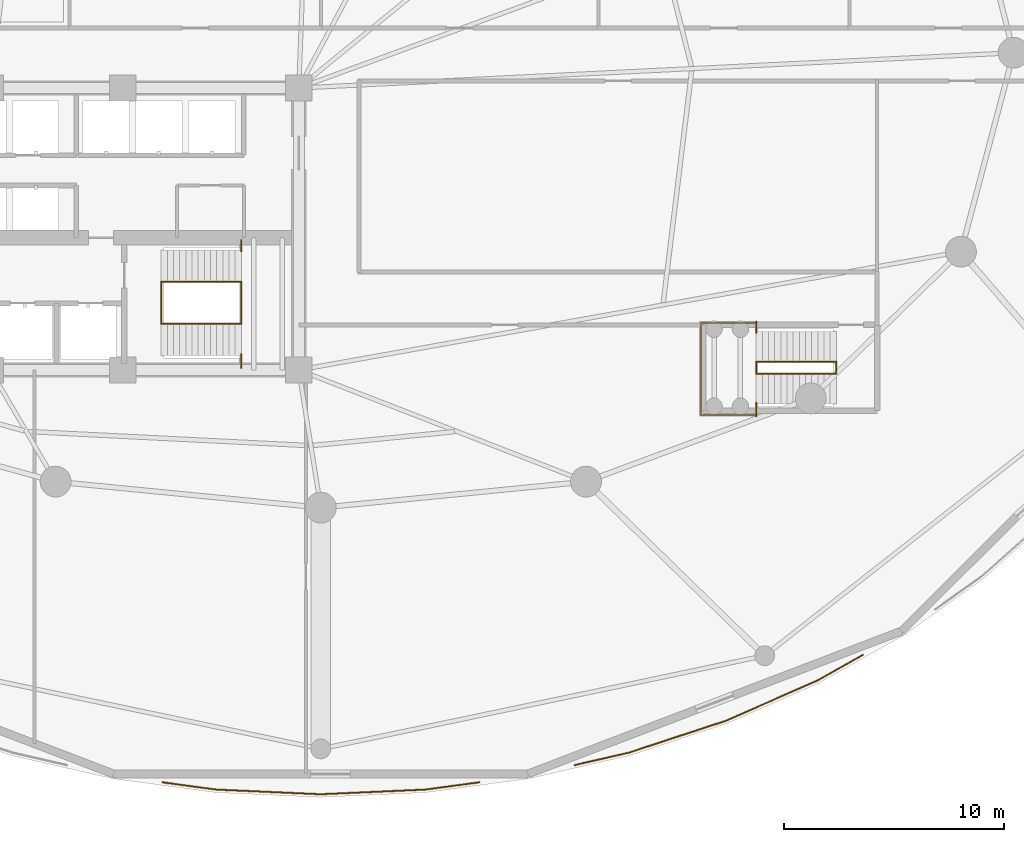
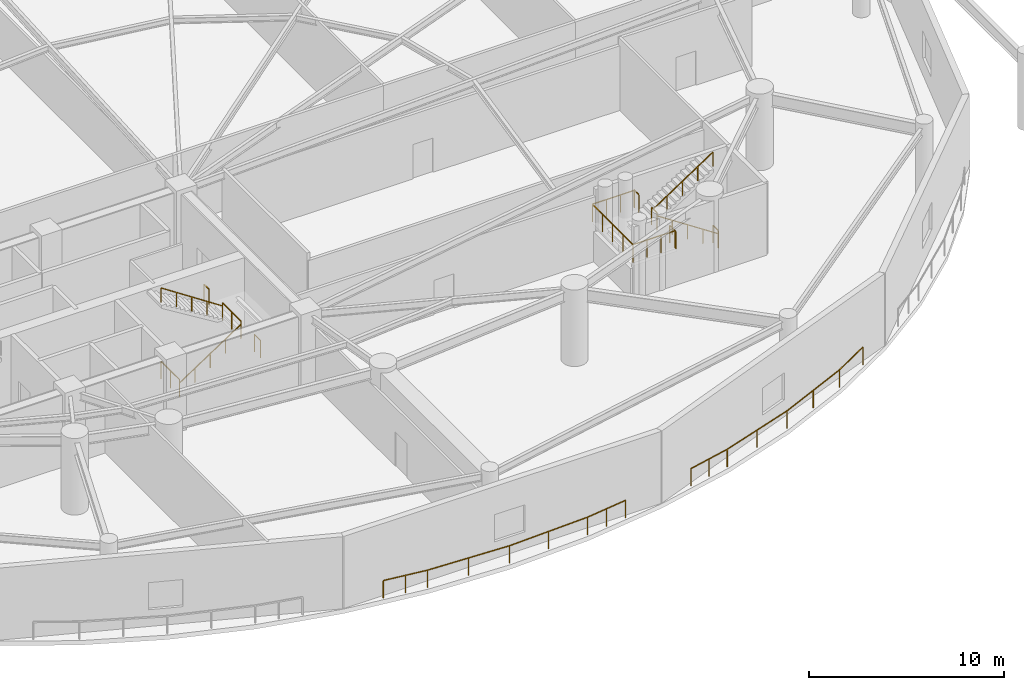
# One storey, part 35 of 36: 15 railings.
"""IFC4 building model written with IfcOpenShell, lengths in metres."""

from ifc_helpers import new_model, si_unit, direction, frame, origin, origin_2d, place, context, subcontext, project, spatial, rectangle, extrude, material, type_object, element, save


model = new_model("IFC4")

# Units and contexts
model_context = context("Model", 3, precision=1e-05, world=origin(), true_north=direction((0.0, 1.0)))
body_context = subcontext(model_context, "Body", "Model", "MODEL_VIEW")
ifc_project = project(units=[si_unit("LENGTHUNIT", "METRE"), si_unit("AREAUNIT", "SQUARE_METRE"), si_unit("VOLUMEUNIT", "CUBIC_METRE"), si_unit("PLANEANGLEUNIT", "RADIAN"), si_unit("MASSUNIT", "GRAM", prefix="KILO")], contexts=[model_context])

# Site, building, storey
site_placement = place(None, origin())
site = spatial("IfcSite", under=ifc_project, at=site_placement, CompositionType="ELEMENT")
building_placement = place(site_placement, origin())
building = spatial("IfcBuilding", under=site, at=building_placement, Name="Kazevale Care Tower and Concert Hall", CompositionType="ELEMENT")
storey_placement = place(building_placement, frame((0.0, 0.0, 14.39990234375)))
storey = spatial("IfcBuildingStorey", under=building, at=storey_placement, Name="L03", CompositionType="ELEMENT", Elevation=14.39990234375)

# Railings
ifc_material_1 = material(Name="Anodised Bronze Aluminium and Laminated Glass", Category="aluminium")
railing_type_1 = type_object("IfcRailingType", Name="Balcony and Terrace Balustrade 1120", PredefinedType="BALUSTRADE", material=ifc_material_1)
railing_1_placement = place(storey_placement, frame((52.18798828125, 4.882080078125, 0.0)))
element("IfcRailing", 1, at=railing_1_placement, inside=storey, type_object=railing_type_1, Name="rail:L03:perim:8", PredefinedType="BALUSTRADE", context=body_context, shape_type="SweptSolid", body=[
    extrude(rectangle(XDim=0.048095703125, YDim=0.048095703125, at=origin_2d()), frame((0.0, 0.0, 1.09619140625), z_axis=(-0.990987454457, -0.1339547129, 0.0), x_axis=(0.1339547129, -0.990987454457, 0.0)), (0.0, 0.0, 1.0), 2.464111328125),
    extrude(rectangle(XDim=0.048095703125, YDim=0.048095703125, at=origin_2d()), frame((-2.44189453125, -0.330078125, 1.09619140625), z_axis=(-0.999004667567, -0.044605763963, 0.0), x_axis=(0.044605763963, -0.999004667567, 0.0)), (0.0, 0.0, 1.0), 4.750732421875),
    extrude(rectangle(XDim=0.048095703125, YDim=0.048095703125, at=origin_2d()), frame((-7.18798828125, -0.5419921875, 1.09619140625), z_axis=(-0.999004667567, 0.044605763963, 0.0), x_axis=(-0.044605763963, -0.999004667567, 0.0)), (0.0, 0.0, 1.0), 4.750732421875),
    extrude(rectangle(XDim=0.048095703125, YDim=0.048095703125, at=origin_2d()), frame((-11.93408203125, -0.330078125, 1.09619140625), z_axis=(-0.990987454457, 0.1339547129, 0.0), x_axis=(-0.1339547129, -0.990987454457, 0.0)), (0.0, 0.0, 1.0), 2.464111328125),
    extrude(rectangle(XDim=0.0419921875, YDim=0.0419921875, at=origin_2d()), origin(), (0.0, 0.0, 1.0), 1.072021484375),
    extrude(rectangle(XDim=0.0419921875, YDim=0.0419921875, at=origin_2d()), frame((-1.220947265625, -0.1650390625, 0.0)), (0.0, 0.0, 1.0), 1.072021484375),
    extrude(rectangle(XDim=0.0419921875, YDim=0.0419921875, at=origin_2d()), frame((-2.44189453125, -0.330078125, 0.0)), (0.0, 0.0, 1.0), 1.072021484375),
    extrude(rectangle(XDim=0.0419921875, YDim=0.0419921875, at=origin_2d()), frame((-4.81494140625, -0.43603515625, 0.0)), (0.0, 0.0, 1.0), 1.072021484375),
    extrude(rectangle(XDim=0.0419921875, YDim=0.0419921875, at=origin_2d()), frame((-7.18798828125, -0.5419921875, 0.0)), (0.0, 0.0, 1.0), 1.072021484375),
    extrude(rectangle(XDim=0.0419921875, YDim=0.0419921875, at=origin_2d()), frame((-9.56103515625, -0.43603515625, 0.0)), (0.0, 0.0, 1.0), 1.072021484375),
    extrude(rectangle(XDim=0.0419921875, YDim=0.0419921875, at=origin_2d()), frame((-11.93408203125, -0.330078125, 0.0)), (0.0, 0.0, 1.0), 1.072021484375),
    extrude(rectangle(XDim=0.0419921875, YDim=0.0419921875, at=origin_2d()), frame((-13.155029296875, -0.1650390625, 0.0)), (0.0, 0.0, 1.0), 1.072021484375),
    extrude(rectangle(XDim=0.0419921875, YDim=0.0419921875, at=origin_2d()), frame((-14.3759765625, 0.0, 0.0)), (0.0, 0.0, 1.0), 1.072021484375),
])
railing_2_placement = place(storey_placement, frame((69.611083984375, 10.669921875, 0.0)))
element("IfcRailing", 2, at=railing_2_placement, inside=storey, type_object=railing_type_1, Name="rail:L03:perim:9", PredefinedType="BALUSTRADE", context=body_context, shape_type="SweptSolid", body=[
    extrude(rectangle(XDim=0.048095703125, YDim=0.048095703125, at=origin_2d()), frame((0.0, 0.0, 1.09619140625), z_axis=(-0.870864175029, -0.491523741696, 0.0), x_axis=(0.491523741696, -0.870864175029, 0.0)), (0.0, 0.0, 1.0), 2.36767578125),
    extrude(rectangle(XDim=0.048095703125, YDim=0.048095703125, at=origin_2d()), frame((-2.06201171875, -1.163818359375, 1.09619140625), z_axis=(-0.915470269762, -0.402385617514, 0.0), x_axis=(0.402385617514, -0.915470269762, 0.0)), (0.0, 0.0, 1.0), 4.543212890625),
    extrude(rectangle(XDim=0.048095703125, YDim=0.048095703125, at=origin_2d()), frame((-6.22119140625, -2.991943359375, 1.09619140625), z_axis=(-0.949817857606, -0.312803512405, 0.0), x_axis=(0.312803512405, -0.949817857606, 0.0)), (0.0, 0.0, 1.0), 4.622802734375),
    extrude(rectangle(XDim=0.048095703125, YDim=0.048095703125, at=origin_2d()), frame((-10.612060546875, -4.43798828125, 1.09619140625), z_axis=(-0.974740171393, -0.223341886518, 0.0), x_axis=(0.223341886518, -0.974740171393, 0.0)), (0.0, 0.0, 1.0), 2.538330078125),
    extrude(rectangle(XDim=0.0419921875, YDim=0.0419921875, at=origin_2d()), origin(), (0.0, 0.0, 1.0), 1.072021484375),
    extrude(rectangle(XDim=0.0419921875, YDim=0.0419921875, at=origin_2d()), frame((-2.06201171875, -1.163818359375, 0.0)), (0.0, 0.0, 1.0), 1.072021484375),
    extrude(rectangle(XDim=0.0419921875, YDim=0.0419921875, at=origin_2d()), frame((-4.1416015625, -2.077880859375, 0.0)), (0.0, 0.0, 1.0), 1.072021484375),
    extrude(rectangle(XDim=0.0419921875, YDim=0.0419921875, at=origin_2d()), frame((-6.22119140625, -2.991943359375, 0.0)), (0.0, 0.0, 1.0), 1.072021484375),
    extrude(rectangle(XDim=0.0419921875, YDim=0.0419921875, at=origin_2d()), frame((-8.41650390625, -3.71484375, 0.0)), (0.0, 0.0, 1.0), 1.072021484375),
    extrude(rectangle(XDim=0.0419921875, YDim=0.0419921875, at=origin_2d()), frame((-10.612060546875, -4.43798828125, 0.0)), (0.0, 0.0, 1.0), 1.072021484375),
    extrude(rectangle(XDim=0.0419921875, YDim=0.0419921875, at=origin_2d()), frame((-11.84912109375, -4.721435546875, 0.0)), (0.0, 0.0, 1.0), 1.072021484375),
    extrude(rectangle(XDim=0.0419921875, YDim=0.0419921875, at=origin_2d()), frame((-13.086181640625, -5.0048828125, 0.0)), (0.0, 0.0, 1.0), 1.072021484375),
])
ifc_material_2 = material(Name="Stainless Steel 316", Category="steel")
railing_type_2 = type_object("IfcRailingType", Name="Stair Pitch Handrail 920", PredefinedType="HANDRAIL", material=ifc_material_2)
railing_3_placement = place(storey_placement, frame((37.75, 25.699951171875, 0.0)))
element("IfcRailing", 3, at=railing_3_placement, inside=storey, type_object=railing_type_2, Name="stair:L03:ST2:hr1", PredefinedType="HANDRAIL", context=body_context, shape_type="SweptSolid", body=[
    extrude(rectangle(XDim=0.048095703125, YDim=0.048095703125, at=origin_2d()), frame((0.0, 0.0, 0.89599609375), z_axis=(0.834839479206, 0.0, 0.550493454965), x_axis=(0.0, 1.0, 0.0)), (0.0, 0.0, 1.0), 4.360107421875),
    extrude(rectangle(XDim=0.0419921875, YDim=0.0419921875, at=origin_2d()), origin(), (0.0, 0.0, 1.0), 0.871826171875),
    extrude(rectangle(XDim=0.0419921875, YDim=0.0419921875, at=origin_2d()), frame((0.909912109375, 0.0, 0.60009765625)), (0.0, 0.0, 1.0), 0.871826171875),
    extrude(rectangle(XDim=0.0419921875, YDim=0.0419921875, at=origin_2d()), frame((1.81982421875, 0.0, 1.2001953125)), (0.0, 0.0, 1.0), 0.871826171875),
    extrude(rectangle(XDim=0.0419921875, YDim=0.0419921875, at=origin_2d()), frame((2.72998046875, 0.0, 1.800048828125)), (0.0, 0.0, 1.0), 0.871826171875),
    extrude(rectangle(XDim=0.0419921875, YDim=0.0419921875, at=origin_2d()), frame((3.639892578125, 0.0, 2.400146484375)), (0.0, 0.0, 1.0), 0.871826171875),
])
railing_4_placement = place(storey_placement, frame((41.389892578125, 27.60009765625, 2.400146484375)))
element("IfcRailing", 4, at=railing_4_placement, inside=storey, type_object=railing_type_2, Name="stair:L03:ST2:hr2", PredefinedType="HANDRAIL", context=body_context, shape_type="SweptSolid", body=[
    extrude(rectangle(XDim=0.048095703125, YDim=0.048095703125, at=origin_2d()), frame((0.0, 0.0, 0.89599609375), z_axis=(-0.834865213223, 0.0, 0.550454426587), x_axis=(0.0, -1.0, 0.0)), (0.0, 0.0, 1.0), 4.35986328125),
    extrude(rectangle(XDim=0.0419921875, YDim=0.0419921875, at=origin_2d()), origin(), (0.0, 0.0, 1.0), 0.871826171875),
    extrude(rectangle(XDim=0.0419921875, YDim=0.0419921875, at=origin_2d()), frame((-0.909912109375, 0.0, 0.60009765625)), (0.0, 0.0, 1.0), 0.871826171875),
    extrude(rectangle(XDim=0.0419921875, YDim=0.0419921875, at=origin_2d()), frame((-1.81982421875, 0.0, 1.199951171875)), (0.0, 0.0, 1.0), 0.871826171875),
    extrude(rectangle(XDim=0.0419921875, YDim=0.0419921875, at=origin_2d()), frame((-2.72998046875, 0.0, 1.7998046875)), (0.0, 0.0, 1.0), 0.871826171875),
    extrude(rectangle(XDim=0.0419921875, YDim=0.0419921875, at=origin_2d()), frame((-3.639892578125, 0.0, 2.39990234375)), (0.0, 0.0, 1.0), 0.871826171875),
])
railing_5_placement = place(storey_placement, frame((68.39990234375, 23.429931640625, 0.0)))
element("IfcRailing", 5, at=railing_5_placement, inside=storey, type_object=railing_type_2, Name="stair:L03:ST3:hr1", PredefinedType="HANDRAIL", context=body_context, shape_type="SweptSolid", body=[
    extrude(rectangle(XDim=0.048095703125, YDim=0.048095703125, at=origin_2d()), frame((0.0, 0.0, 0.89599609375), z_axis=(-0.834839479206, 0.0, 0.550493454965), x_axis=(0.0, -1.0, 0.0)), (0.0, 0.0, 1.0), 4.360107421875),
    extrude(rectangle(XDim=0.0419921875, YDim=0.0419921875, at=origin_2d()), origin(), (0.0, 0.0, 1.0), 0.871826171875),
    extrude(rectangle(XDim=0.0419921875, YDim=0.0419921875, at=origin_2d()), frame((-0.909912109375, 0.0, 0.60009765625)), (0.0, 0.0, 1.0), 0.871826171875),
    extrude(rectangle(XDim=0.0419921875, YDim=0.0419921875, at=origin_2d()), frame((-1.81982421875, 0.0, 1.2001953125)), (0.0, 0.0, 1.0), 0.871826171875),
    extrude(rectangle(XDim=0.0419921875, YDim=0.0419921875, at=origin_2d()), frame((-2.72998046875, 0.0, 1.800048828125)), (0.0, 0.0, 1.0), 0.871826171875),
    extrude(rectangle(XDim=0.0419921875, YDim=0.0419921875, at=origin_2d()), frame((-3.639892578125, 0.0, 2.400146484375)), (0.0, 0.0, 1.0), 0.871826171875),
])
railing_6_placement = place(storey_placement, frame((64.760009765625, 23.969970703125, 2.400146484375)))
element("IfcRailing", 6, at=railing_6_placement, inside=storey, type_object=railing_type_2, Name="stair:L03:ST3:hr2", PredefinedType="HANDRAIL", context=body_context, shape_type="SweptSolid", body=[
    extrude(rectangle(XDim=0.048095703125, YDim=0.048095703125, at=origin_2d()), frame((0.0, 0.0, 0.89599609375), z_axis=(0.834865213223, 0.0, 0.550454426587), x_axis=(0.0, 1.0, 0.0)), (0.0, 0.0, 1.0), 4.35986328125),
    extrude(rectangle(XDim=0.0419921875, YDim=0.0419921875, at=origin_2d()), origin(), (0.0, 0.0, 1.0), 0.871826171875),
    extrude(rectangle(XDim=0.0419921875, YDim=0.0419921875, at=origin_2d()), frame((0.909912109375, 0.0, 0.60009765625)), (0.0, 0.0, 1.0), 0.871826171875),
    extrude(rectangle(XDim=0.0419921875, YDim=0.0419921875, at=origin_2d()), frame((1.81982421875, 0.0, 1.199951171875)), (0.0, 0.0, 1.0), 0.871826171875),
    extrude(rectangle(XDim=0.0419921875, YDim=0.0419921875, at=origin_2d()), frame((2.72998046875, 0.0, 1.7998046875)), (0.0, 0.0, 1.0), 0.871826171875),
    extrude(rectangle(XDim=0.0419921875, YDim=0.0419921875, at=origin_2d()), frame((3.639892578125, 0.0, 2.39990234375)), (0.0, 0.0, 1.0), 0.871826171875),
])
railing_type_3 = type_object("IfcRailingType", Name="Stair Well Guard Balustrade 1120", PredefinedType="BALUSTRADE", material=ifc_material_2)
railing_7_placement = place(storey_placement, frame((41.389892578125, 23.699951171875, 2.400146484375)))
element("IfcRailing", 7, at=railing_7_placement, inside=storey, type_object=railing_type_3, Name="stair:L03:ST2:grd_side1", PredefinedType="BALUSTRADE", context=body_context, shape_type="SweptSolid", body=[
    extrude(rectangle(XDim=0.048095703125, YDim=0.048095703125, at=origin_2d()), frame((0.0, 0.0, 1.09619140625), z_axis=(0.0, 1.0, 0.0), x_axis=(-1.0, 0.0, 0.0)), (0.0, 0.0, 1.0), 0.610107421875),
    extrude(rectangle(XDim=0.0419921875, YDim=0.0419921875, at=origin_2d()), origin(), (0.0, 0.0, 1.0), 1.072021484375),
    extrude(rectangle(XDim=0.0419921875, YDim=0.0419921875, at=origin_2d()), frame((0.0, 0.610107421875, 0.0)), (0.0, 0.0, 1.0), 1.072021484375),
])
railing_8_placement = place(storey_placement, frame((41.389892578125, 28.989990234375, 2.400146484375)))
element("IfcRailing", 8, at=railing_8_placement, inside=storey, type_object=railing_type_3, Name="stair:L03:ST2:grd_side2", PredefinedType="BALUSTRADE", context=body_context, shape_type="SweptSolid", body=[
    extrude(rectangle(XDim=0.048095703125, YDim=0.048095703125, at=origin_2d()), frame((0.0, 0.0, 1.09619140625), z_axis=(0.0, 1.0, 0.0), x_axis=(-1.0, 0.0, 0.0)), (0.0, 0.0, 1.0), 0.510009765625),
    extrude(rectangle(XDim=0.0419921875, YDim=0.0419921875, at=origin_2d()), origin(), (0.0, 0.0, 1.0), 1.072021484375),
    extrude(rectangle(XDim=0.0419921875, YDim=0.0419921875, at=origin_2d()), frame((0.0, 0.510009765625, 0.0)), (0.0, 0.0, 1.0), 1.072021484375),
])
for number, where, name in (
    (9, (41.389892578125, 25.699951171875, 2.400146484375), "stair:L03:ST2:grd_mid"),
    (10, (37.75, 25.699951171875, 0.0), "stair:L03:ST2:grd_flr"),
):
    element("IfcRailing", number, at=place(storey_placement, frame(where)), inside=storey, type_object=railing_type_3, Name=name, PredefinedType="BALUSTRADE", context=body_context, shape_type="SweptSolid", body=[
        extrude(rectangle(XDim=0.048095703125, YDim=0.048095703125, at=origin_2d()), frame((0.0, 0.0, 1.09619140625), z_axis=(0.0, 1.0, 0.0), x_axis=(-1.0, 0.0, 0.0)), (0.0, 0.0, 1.0), 1.900146484375),
        extrude(rectangle(XDim=0.0419921875, YDim=0.0419921875, at=origin_2d()), origin(), (0.0, 0.0, 1.0), 1.072021484375),
        extrude(rectangle(XDim=0.0419921875, YDim=0.0419921875, at=origin_2d()), frame((0.0, 0.9501953125, 0.0)), (0.0, 0.0, 1.0), 1.072021484375),
        extrude(rectangle(XDim=0.0419921875, YDim=0.0419921875, at=origin_2d()), frame((0.0, 1.900146484375, 0.0)), (0.0, 0.0, 1.0), 1.072021484375),
    ])
railing_9_placement = place(storey_placement, frame((64.760009765625, 21.5, 2.400146484375)))
element("IfcRailing", 11, at=railing_9_placement, inside=storey, type_object=railing_type_3, Name="stair:L03:ST3:grd_side1", PredefinedType="BALUSTRADE", context=body_context, shape_type="SweptSolid", body=[
    extrude(rectangle(XDim=0.048095703125, YDim=0.048095703125, at=origin_2d()), frame((0.0, 0.0, 1.09619140625), z_axis=(0.0, 1.0, 0.0), x_axis=(-1.0, 0.0, 0.0)), (0.0, 0.0, 1.0), 0.610107421875),
    extrude(rectangle(XDim=0.0419921875, YDim=0.0419921875, at=origin_2d()), origin(), (0.0, 0.0, 1.0), 1.072021484375),
    extrude(rectangle(XDim=0.0419921875, YDim=0.0419921875, at=origin_2d()), frame((0.0, 0.610107421875, 0.0)), (0.0, 0.0, 1.0), 1.072021484375),
])
railing_10_placement = place(storey_placement, frame((64.760009765625, 25.2900390625, 2.400146484375)))
element("IfcRailing", 12, at=railing_10_placement, inside=storey, type_object=railing_type_3, Name="stair:L03:ST3:grd_side2", PredefinedType="BALUSTRADE", context=body_context, shape_type="SweptSolid", body=[
    extrude(rectangle(XDim=0.048095703125, YDim=0.048095703125, at=origin_2d()), frame((0.0, 0.0, 1.09619140625), z_axis=(0.0, 1.0, 0.0), x_axis=(-1.0, 0.0, 0.0)), (0.0, 0.0, 1.0), 0.510009765625),
    extrude(rectangle(XDim=0.0419921875, YDim=0.0419921875, at=origin_2d()), origin(), (0.0, 0.0, 1.0), 1.072021484375),
    extrude(rectangle(XDim=0.0419921875, YDim=0.0419921875, at=origin_2d()), frame((0.0, 0.510009765625, 0.0)), (0.0, 0.0, 1.0), 1.072021484375),
])
railing_11_placement = place(storey_placement, frame((64.760009765625, 21.56005859375, 2.400146484375)))
element("IfcRailing", 13, at=railing_11_placement, inside=storey, type_object=railing_type_3, Name="stair:L03:ST3:grd_far", PredefinedType="BALUSTRADE", context=body_context, shape_type="SweptSolid", body=[
    extrude(rectangle(XDim=0.048095703125, YDim=0.048095703125, at=origin_2d()), frame((0.0, 0.0, 1.09619140625), z_axis=(-1.0, 0.0, 0.0), x_axis=(0.0, -1.0, 0.0)), (0.0, 0.0, 1.0), 2.5),
    extrude(rectangle(XDim=0.048095703125, YDim=0.048095703125, at=origin_2d()), frame((-2.5, 0.0, 1.09619140625), z_axis=(0.0, 1.0, 0.0), x_axis=(-1.0, 0.0, 0.0)), (0.0, 0.0, 1.0), 4.179931640625),
    extrude(rectangle(XDim=0.048095703125, YDim=0.048095703125, at=origin_2d()), frame((-2.5, 4.179931640625, 1.09619140625), z_axis=(1.0, 0.0, 0.0), x_axis=(0.0, 1.0, 0.0)), (0.0, 0.0, 1.0), 2.5),
    extrude(rectangle(XDim=0.0419921875, YDim=0.0419921875, at=origin_2d()), origin(), (0.0, 0.0, 1.0), 1.072021484375),
    extrude(rectangle(XDim=0.0419921875, YDim=0.0419921875, at=origin_2d()), frame((-0.833251953125, 0.0, 0.0)), (0.0, 0.0, 1.0), 1.072021484375),
    extrude(rectangle(XDim=0.0419921875, YDim=0.0419921875, at=origin_2d()), frame((-1.666748046875, 0.0, 0.0)), (0.0, 0.0, 1.0), 1.072021484375),
    extrude(rectangle(XDim=0.0419921875, YDim=0.0419921875, at=origin_2d()), frame((-2.5, 0.0, 0.0)), (0.0, 0.0, 1.0), 1.072021484375),
    extrude(rectangle(XDim=0.0419921875, YDim=0.0419921875, at=origin_2d()), frame((-2.5, 1.044921875, 0.0)), (0.0, 0.0, 1.0), 1.072021484375),
    extrude(rectangle(XDim=0.0419921875, YDim=0.0419921875, at=origin_2d()), frame((-2.5, 2.08984375, 0.0)), (0.0, 0.0, 1.0), 1.072021484375),
    extrude(rectangle(XDim=0.0419921875, YDim=0.0419921875, at=origin_2d()), frame((-2.5, 3.135009765625, 0.0)), (0.0, 0.0, 1.0), 1.072021484375),
    extrude(rectangle(XDim=0.0419921875, YDim=0.0419921875, at=origin_2d()), frame((-2.5, 4.179931640625, 0.0)), (0.0, 0.0, 1.0), 1.072021484375),
    extrude(rectangle(XDim=0.0419921875, YDim=0.0419921875, at=origin_2d()), frame((-1.666748046875, 4.179931640625, 0.0)), (0.0, 0.0, 1.0), 1.072021484375),
    extrude(rectangle(XDim=0.0419921875, YDim=0.0419921875, at=origin_2d()), frame((-0.833251953125, 4.179931640625, 0.0)), (0.0, 0.0, 1.0), 1.072021484375),
    extrude(rectangle(XDim=0.0419921875, YDim=0.0419921875, at=origin_2d()), frame((0.0, 4.179931640625, 0.0)), (0.0, 0.0, 1.0), 1.072021484375),
])
for number, where, name in (
    (14, (64.760009765625, 23.429931640625, 2.400146484375), "stair:L03:ST3:grd_mid"),
    (15, (68.39990234375, 23.429931640625, 0.0), "stair:L03:ST3:grd_flr"),
):
    element("IfcRailing", number, at=place(storey_placement, frame(where)), inside=storey, type_object=railing_type_3, Name=name, PredefinedType="BALUSTRADE", context=body_context, shape_type="SweptSolid", body=[
        extrude(rectangle(XDim=0.048095703125, YDim=0.048095703125, at=origin_2d()), frame((0.0, 0.0, 1.09619140625), z_axis=(0.0, 1.0, 0.0), x_axis=(-1.0, 0.0, 0.0)), (0.0, 0.0, 1.0), 0.5400390625),
        extrude(rectangle(XDim=0.0419921875, YDim=0.0419921875, at=origin_2d()), origin(), (0.0, 0.0, 1.0), 1.072021484375),
        extrude(rectangle(XDim=0.0419921875, YDim=0.0419921875, at=origin_2d()), frame((0.0, 0.5400390625, 0.0)), (0.0, 0.0, 1.0), 1.072021484375),
    ])

save(model, "model.ifc")
